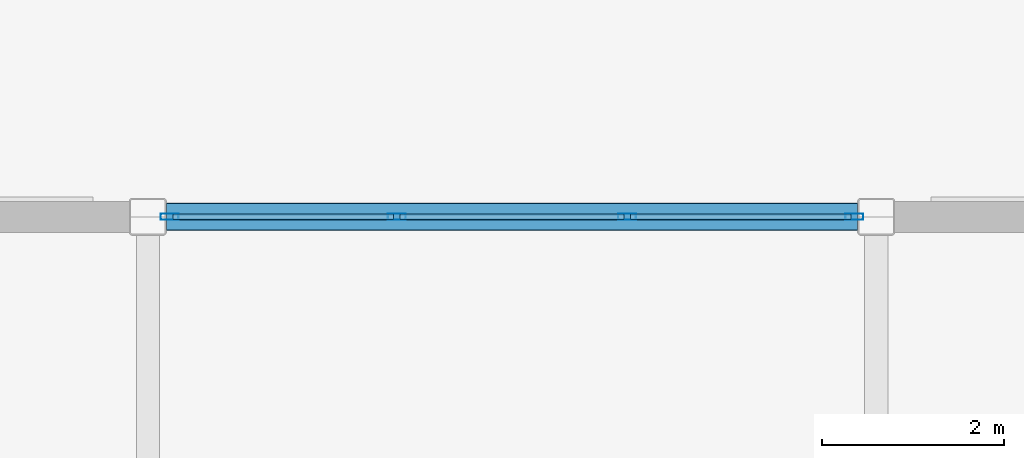
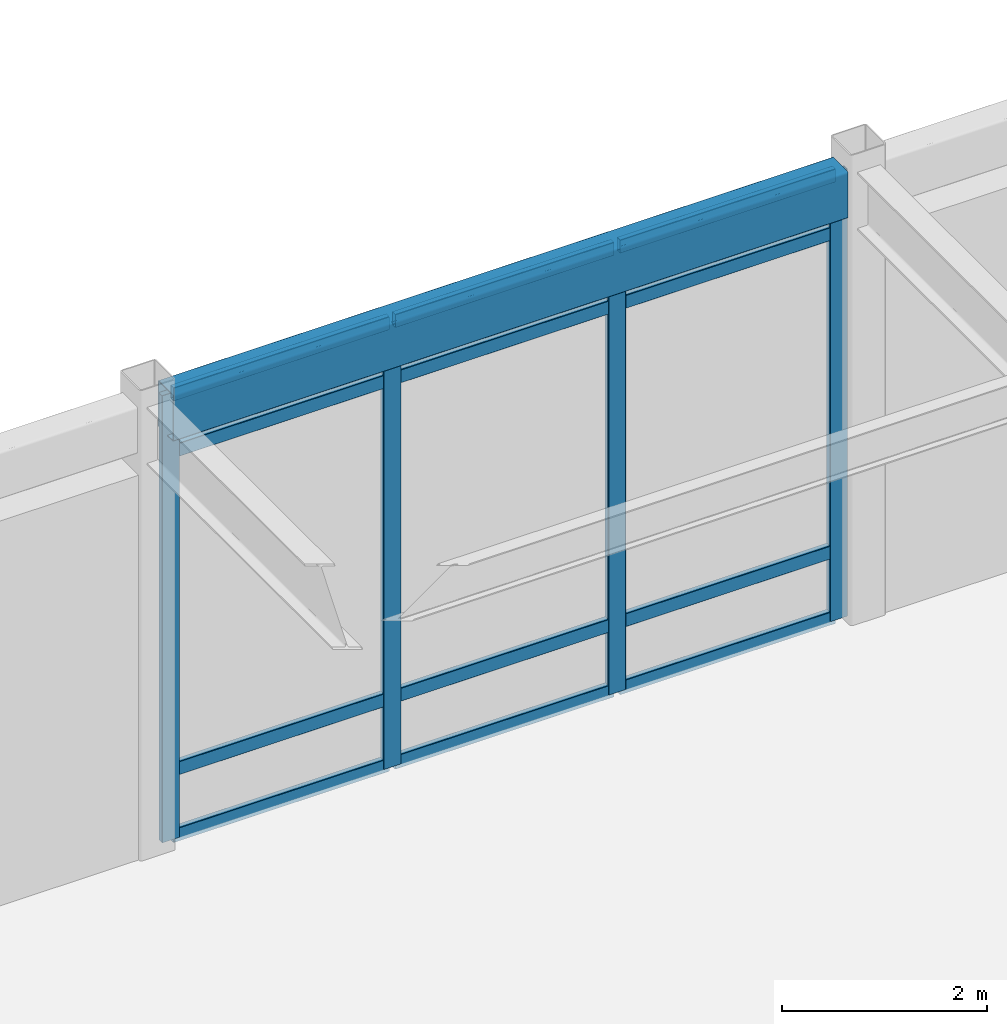
# One storey, part 91 of 128: 16 members, 1 beam, 1 element without a shape of its own.
"""IFC4 building model written with IfcOpenShell, lengths in metres."""

from ifc_helpers import new_model, si_unit, direction, frame, origin, origin_2d, place, context, subcontext, project, spatial, hollow_rectangle, extrude, material, material_profile, profile_set, type_object, element, aggregate, save


model = new_model("IFC4")

# Units and contexts
model_context = context("Model", 3, precision=1e-05, world=origin(), true_north=direction((0.0, 1.0)))
body_context = subcontext(model_context, "Body", "Model", "MODEL_VIEW")
ifc_project = project(units=[si_unit("LENGTHUNIT", "METRE"), si_unit("AREAUNIT", "SQUARE_METRE"), si_unit("VOLUMEUNIT", "CUBIC_METRE"), si_unit("PLANEANGLEUNIT", "RADIAN"), si_unit("MASSUNIT", "GRAM", prefix="KILO")], contexts=[model_context])

# Site, building, storey
site_placement = place(None, origin())
site = spatial("IfcSite", under=ifc_project, at=site_placement, CompositionType="ELEMENT")
building_placement = place(site_placement, origin())
building = spatial("IfcBuilding", under=site, at=building_placement, Name="Solmirada Galleria", CompositionType="ELEMENT")
storey_placement = place(building_placement, origin())
storey = spatial("IfcBuildingStorey", under=building, at=storey_placement, Name="L00", CompositionType="ELEMENT", Elevation=0.0)

# Beam
ifc_material_1 = material(Name="Steel S355 / ASTM A500 Grade C", Category="steel")
ifc_material_profile_1 = material_profile(ifc_material_1, hollow_rectangle(XDim=0.304931640625, YDim=0.55908203125, WallThickness=0.01171875, InnerFilletRadius=0.01171875, OuterFilletRadius=0.023681640625, at=origin_2d()), Name="HSS22X12X1/2")
ifc_profile_set_1 = profile_set([ifc_material_profile_1], Name="Steel S355 / ASTM A500 Grade C")
beam_type = type_object("IfcBeamType", Name="BM-SPAND-W21", PredefinedType="SPANDREL", material=ifc_profile_set_1)
beam_placement = place(storey_placement, frame((160.202880859375, 120.0, 5.1005859375), z_axis=(1.0, 0.0, 0.0), x_axis=(0.0, 1.0, 0.0)))
element("IfcBeam", 1, at=beam_placement, inside=storey, type_object=beam_type, Name="Primary beam L01 X(160..168, 120)", PredefinedType="SPANDREL", context=body_context, shape_type="SweptSolid", body=[
    extrude(hollow_rectangle(XDim=0.304931640625, YDim=0.55908203125, WallThickness=0.01171875, InnerFilletRadius=0.01171875, OuterFilletRadius=0.023681640625, at=origin_2d()), origin(), (0.0, 0.0, 1.0), 7.59423828125),
])

# Curtain wall, members
ifc_material_2 = material(Name="Impact-resistant low-E double glazing", Category="glass")
curtain_wall_type = type_object("IfcCurtainWallType", Name="CW-FZ2-L00-B3-L076", PredefinedType="NOTDEFINED", material=ifc_material_2)
curtain_wall_placement = place(storey_placement, origin())
curtain_wall = element("IfcCurtainWall", 2, at=curtain_wall_placement, inside=storey, type_object=curtain_wall_type, Name="Terrace and arcade storefront CW-L00-011", PredefinedType="NOTDEFINED")
ifc_material_3 = material(Name="Anodised aluminium framing", Category="aluminium")
ifc_material_profile_2 = material_profile(ifc_material_3, hollow_rectangle(XDim=0.070068359375, YDim=0.199951171875, WallThickness=0.004150390625, InnerFilletRadius=0.004150390625, OuterFilletRadius=0.00830078125, at=origin_2d()), Name="ALU-MULL-200X70")
ifc_profile_set_2 = profile_set([ifc_material_profile_2], Name="Anodised aluminium framing")
member_type_1 = type_object("IfcMemberType", Name="CW-MULL-200", PredefinedType="MULLION", material=ifc_profile_set_2)
member_1_placement = place(storey_placement, frame((160.239990234375, 120.0, 0.0), z_axis=(0.0, 0.0, 1.0), x_axis=(0.0, 1.0, 0.0)))
member_1 = element("IfcMember", 3, at=member_1_placement, type_object=member_type_1, Name="CW05 mullion 1", PredefinedType="MULLION", context=body_context, shape_type="SweptSolid", body=[
    extrude(hollow_rectangle(XDim=0.070068359375, YDim=0.199951171875, WallThickness=0.004150390625, InnerFilletRadius=0.004150390625, OuterFilletRadius=0.00830078125, at=origin_2d()), origin(), (0.0, 0.0, 1.0), 5.320068359375),
])
member_2_placement = place(storey_placement, frame((162.735107421875, 120.0, 0.0), z_axis=(0.0, 0.0, 1.0), x_axis=(0.0, 1.0, 0.0)))
member_2 = element("IfcMember", 4, at=member_2_placement, type_object=member_type_1, Name="CW05 mullion 2", PredefinedType="MULLION", context=body_context, shape_type="SweptSolid", body=[
    extrude(hollow_rectangle(XDim=0.070068359375, YDim=0.199951171875, WallThickness=0.004150390625, InnerFilletRadius=0.004150390625, OuterFilletRadius=0.00830078125, at=origin_2d()), origin(), (0.0, 0.0, 1.0), 5.320068359375),
])
member_3_placement = place(storey_placement, frame((165.264892578125, 120.0, 0.0), z_axis=(0.0, 0.0, 1.0), x_axis=(0.0, 1.0, 0.0)))
member_3 = element("IfcMember", 5, at=member_3_placement, type_object=member_type_1, Name="CW05 mullion 3", PredefinedType="MULLION", context=body_context, shape_type="SweptSolid", body=[
    extrude(hollow_rectangle(XDim=0.070068359375, YDim=0.199951171875, WallThickness=0.004150390625, InnerFilletRadius=0.004150390625, OuterFilletRadius=0.00830078125, at=origin_2d()), origin(), (0.0, 0.0, 1.0), 5.320068359375),
])
member_4_placement = place(storey_placement, frame((167.760009765625, 120.0, 0.0), z_axis=(0.0, 0.0, 1.0), x_axis=(0.0, 1.0, 0.0)))
member_4 = element("IfcMember", 6, at=member_4_placement, type_object=member_type_1, Name="CW05 mullion 4", PredefinedType="MULLION", context=body_context, shape_type="SweptSolid", body=[
    extrude(hollow_rectangle(XDim=0.070068359375, YDim=0.199951171875, WallThickness=0.004150390625, InnerFilletRadius=0.004150390625, OuterFilletRadius=0.00830078125, at=origin_2d()), origin(), (0.0, 0.0, 1.0), 5.320068359375),
])
ifc_material_profile_3 = material_profile(ifc_material_3, hollow_rectangle(XDim=0.06494140625, YDim=0.159912109375, WallThickness=0.00390625, InnerFilletRadius=0.00390625, OuterFilletRadius=0.007568359375, at=origin_2d()), Name="ALU-TRAN-160X65")
ifc_profile_set_3 = profile_set([ifc_material_profile_3], Name="Anodised aluminium framing")
member_type_2 = type_object("IfcMemberType", Name="CW-TRAN-160", PredefinedType="USERDEFINED", material=ifc_profile_set_3)
member_5_placement = place(storey_placement, frame((160.27490234375, 120.0, 0.032470703125), z_axis=(1.0, 0.0, 0.0), x_axis=(0.0, 1.0, 0.0)))
member_5 = element("IfcMember", 7, at=member_5_placement, type_object=member_type_2, Name="CW05 transom 1.1", ObjectType="TRANSOM", PredefinedType="USERDEFINED", context=body_context, shape_type="SweptSolid", body=[
    extrude(hollow_rectangle(XDim=0.06494140625, YDim=0.159912109375, WallThickness=0.00390625, InnerFilletRadius=0.00390625, OuterFilletRadius=0.007568359375, at=origin_2d()), origin(), (0.0, 0.0, 1.0), 2.425048828125),
])
member_6_placement = place(storey_placement, frame((160.27490234375, 120.0, 0.820068359375), z_axis=(1.0, 0.0, 0.0), x_axis=(0.0, 1.0, 0.0)))
member_6 = element("IfcMember", 8, at=member_6_placement, type_object=member_type_2, Name="CW05 transom 1.2", ObjectType="TRANSOM", PredefinedType="USERDEFINED", context=body_context, shape_type="SweptSolid", body=[
    extrude(hollow_rectangle(XDim=0.06494140625, YDim=0.159912109375, WallThickness=0.00390625, InnerFilletRadius=0.00390625, OuterFilletRadius=0.007568359375, at=origin_2d()), origin(), (0.0, 0.0, 1.0), 2.425048828125),
])
member_7_placement = place(storey_placement, frame((160.27490234375, 120.0, 4.610107421875), z_axis=(1.0, 0.0, 0.0), x_axis=(0.0, 1.0, 0.0)))
member_7 = element("IfcMember", 9, at=member_7_placement, type_object=member_type_2, Name="CW05 transom 1.3", ObjectType="TRANSOM", PredefinedType="USERDEFINED", context=body_context, shape_type="SweptSolid", body=[
    extrude(hollow_rectangle(XDim=0.06494140625, YDim=0.159912109375, WallThickness=0.00390625, InnerFilletRadius=0.00390625, OuterFilletRadius=0.007568359375, at=origin_2d()), origin(), (0.0, 0.0, 1.0), 2.425048828125),
])
member_8_placement = place(storey_placement, frame((160.27490234375, 120.0, 5.28759765625), z_axis=(1.0, 0.0, 0.0), x_axis=(0.0, 1.0, 0.0)))
member_8 = element("IfcMember", 10, at=member_8_placement, type_object=member_type_2, Name="CW05 transom 1.4", ObjectType="TRANSOM", PredefinedType="USERDEFINED", context=body_context, shape_type="SweptSolid", body=[
    extrude(hollow_rectangle(XDim=0.06494140625, YDim=0.159912109375, WallThickness=0.00390625, InnerFilletRadius=0.00390625, OuterFilletRadius=0.007568359375, at=origin_2d()), origin(), (0.0, 0.0, 1.0), 2.425048828125),
])
member_9_placement = place(storey_placement, frame((162.77001953125, 120.0, 0.032470703125), z_axis=(1.0, 0.0, 0.0), x_axis=(0.0, 1.0, 0.0)))
member_9 = element("IfcMember", 11, at=member_9_placement, type_object=member_type_2, Name="CW05 transom 2.1", ObjectType="TRANSOM", PredefinedType="USERDEFINED", context=body_context, shape_type="SweptSolid", body=[
    extrude(hollow_rectangle(XDim=0.06494140625, YDim=0.159912109375, WallThickness=0.00390625, InnerFilletRadius=0.00390625, OuterFilletRadius=0.007568359375, at=origin_2d()), origin(), (0.0, 0.0, 1.0), 2.4599609375),
])
member_10_placement = place(storey_placement, frame((162.77001953125, 120.0, 0.820068359375), z_axis=(1.0, 0.0, 0.0), x_axis=(0.0, 1.0, 0.0)))
member_10 = element("IfcMember", 12, at=member_10_placement, type_object=member_type_2, Name="CW05 transom 2.2", ObjectType="TRANSOM", PredefinedType="USERDEFINED", context=body_context, shape_type="SweptSolid", body=[
    extrude(hollow_rectangle(XDim=0.06494140625, YDim=0.159912109375, WallThickness=0.00390625, InnerFilletRadius=0.00390625, OuterFilletRadius=0.007568359375, at=origin_2d()), origin(), (0.0, 0.0, 1.0), 2.4599609375),
])
member_11_placement = place(storey_placement, frame((162.77001953125, 120.0, 4.610107421875), z_axis=(1.0, 0.0, 0.0), x_axis=(0.0, 1.0, 0.0)))
member_11 = element("IfcMember", 13, at=member_11_placement, type_object=member_type_2, Name="CW05 transom 2.3", ObjectType="TRANSOM", PredefinedType="USERDEFINED", context=body_context, shape_type="SweptSolid", body=[
    extrude(hollow_rectangle(XDim=0.06494140625, YDim=0.159912109375, WallThickness=0.00390625, InnerFilletRadius=0.00390625, OuterFilletRadius=0.007568359375, at=origin_2d()), origin(), (0.0, 0.0, 1.0), 2.4599609375),
])
member_12_placement = place(storey_placement, frame((162.77001953125, 120.0, 5.28759765625), z_axis=(1.0, 0.0, 0.0), x_axis=(0.0, 1.0, 0.0)))
member_12 = element("IfcMember", 14, at=member_12_placement, type_object=member_type_2, Name="CW05 transom 2.4", ObjectType="TRANSOM", PredefinedType="USERDEFINED", context=body_context, shape_type="SweptSolid", body=[
    extrude(hollow_rectangle(XDim=0.06494140625, YDim=0.159912109375, WallThickness=0.00390625, InnerFilletRadius=0.00390625, OuterFilletRadius=0.007568359375, at=origin_2d()), origin(), (0.0, 0.0, 1.0), 2.4599609375),
])
member_13_placement = place(storey_placement, frame((165.300048828125, 120.0, 0.032470703125), z_axis=(1.0, 0.0, 0.0), x_axis=(0.0, 1.0, 0.0)))
member_13 = element("IfcMember", 15, at=member_13_placement, type_object=member_type_2, Name="CW05 transom 3.1", ObjectType="TRANSOM", PredefinedType="USERDEFINED", context=body_context, shape_type="SweptSolid", body=[
    extrude(hollow_rectangle(XDim=0.06494140625, YDim=0.159912109375, WallThickness=0.00390625, InnerFilletRadius=0.00390625, OuterFilletRadius=0.007568359375, at=origin_2d()), origin(), (0.0, 0.0, 1.0), 2.425048828125),
])
member_14_placement = place(storey_placement, frame((165.300048828125, 120.0, 0.820068359375), z_axis=(1.0, 0.0, 0.0), x_axis=(0.0, 1.0, 0.0)))
member_14 = element("IfcMember", 16, at=member_14_placement, type_object=member_type_2, Name="CW05 transom 3.2", ObjectType="TRANSOM", PredefinedType="USERDEFINED", context=body_context, shape_type="SweptSolid", body=[
    extrude(hollow_rectangle(XDim=0.06494140625, YDim=0.159912109375, WallThickness=0.00390625, InnerFilletRadius=0.00390625, OuterFilletRadius=0.007568359375, at=origin_2d()), origin(), (0.0, 0.0, 1.0), 2.425048828125),
])
member_15_placement = place(storey_placement, frame((165.300048828125, 120.0, 4.610107421875), z_axis=(1.0, 0.0, 0.0), x_axis=(0.0, 1.0, 0.0)))
member_15 = element("IfcMember", 17, at=member_15_placement, type_object=member_type_2, Name="CW05 transom 3.3", ObjectType="TRANSOM", PredefinedType="USERDEFINED", context=body_context, shape_type="SweptSolid", body=[
    extrude(hollow_rectangle(XDim=0.06494140625, YDim=0.159912109375, WallThickness=0.00390625, InnerFilletRadius=0.00390625, OuterFilletRadius=0.007568359375, at=origin_2d()), origin(), (0.0, 0.0, 1.0), 2.425048828125),
])
member_16_placement = place(storey_placement, frame((165.300048828125, 120.0, 5.28759765625), z_axis=(1.0, 0.0, 0.0), x_axis=(0.0, 1.0, 0.0)))
member_16 = element("IfcMember", 18, at=member_16_placement, type_object=member_type_2, Name="CW05 transom 3.4", ObjectType="TRANSOM", PredefinedType="USERDEFINED", context=body_context, shape_type="SweptSolid", body=[
    extrude(hollow_rectangle(XDim=0.06494140625, YDim=0.159912109375, WallThickness=0.00390625, InnerFilletRadius=0.00390625, OuterFilletRadius=0.007568359375, at=origin_2d()), origin(), (0.0, 0.0, 1.0), 2.425048828125),
])
aggregate(curtain_wall, [member_1, member_2, member_3, member_4, member_5, member_6, member_7, member_8, member_9, member_10, member_11, member_12, member_13, member_14, member_15, member_16])

save(model, "model.ifc")
